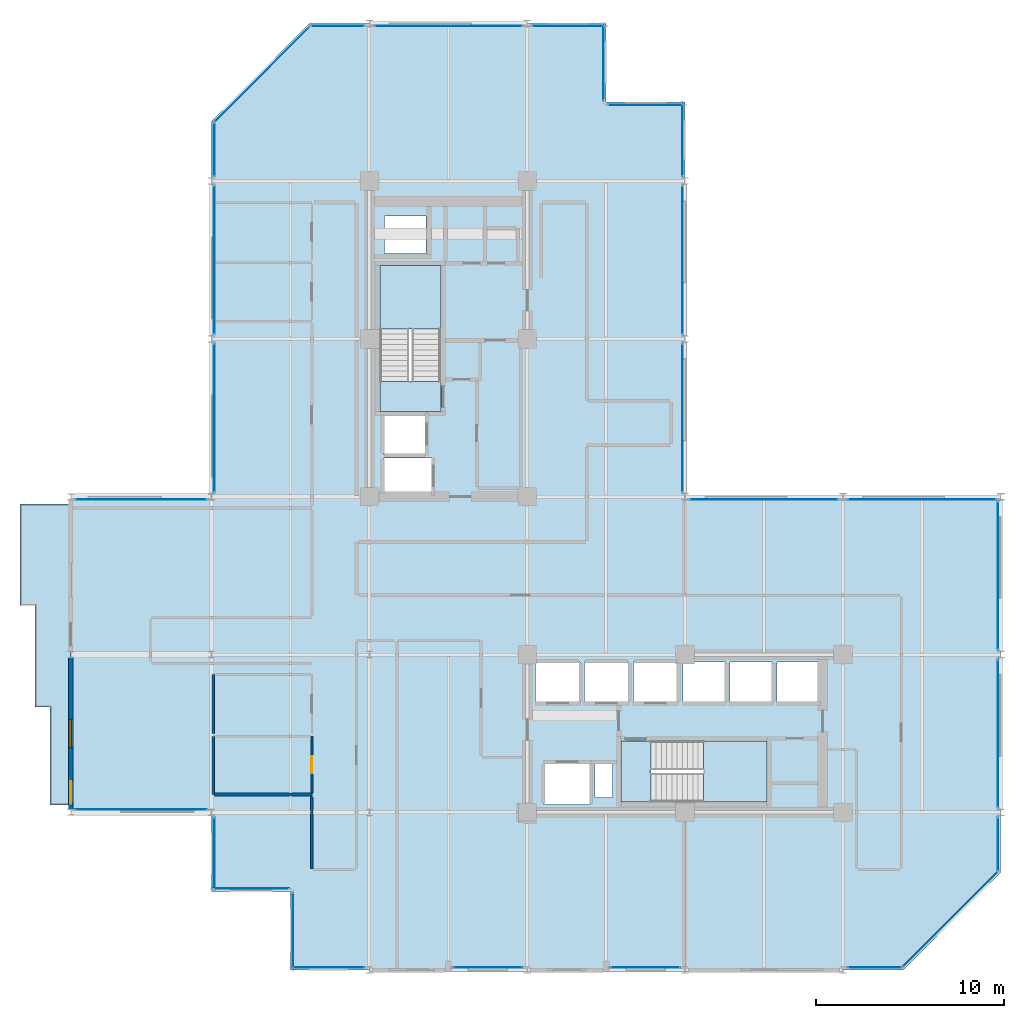
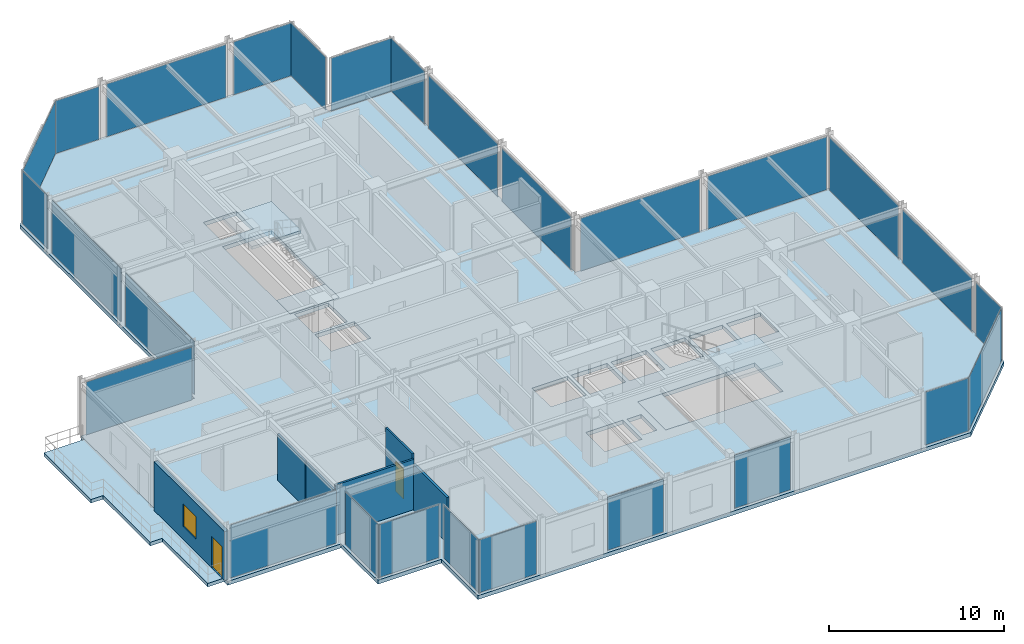
# One storey, part 23 of 29: 27 plates, 6 slabs, 6 walls, 2 doors, 1 window, 3 openings, 29 elements without a shape of their own.
"""IFC4 building model written with IfcOpenShell, lengths in metres."""

from ifc_helpers import new_model, si_unit, direction, frame, frame_2d, origin, origin_2d, place, context, subcontext, project, spatial, polyline, rectangle, outline, extrude, material, layer, layer_set, type_object, element, fill, aggregate, save


model = new_model("IFC4")

# Units and contexts
model_context = context("Model", 3, precision=1e-05, world=origin(), true_north=direction((0.0, 1.0)))
body_context = subcontext(model_context, "Body", "Model", "MODEL_VIEW")
ifc_project = project(units=[si_unit("LENGTHUNIT", "METRE"), si_unit("AREAUNIT", "SQUARE_METRE"), si_unit("VOLUMEUNIT", "CUBIC_METRE"), si_unit("PLANEANGLEUNIT", "RADIAN"), si_unit("MASSUNIT", "GRAM", prefix="KILO")], contexts=[model_context])

# Site, building, storey
site_placement = place(None, origin())
site = spatial("IfcSite", under=ifc_project, at=site_placement, CompositionType="ELEMENT")
building_placement = place(site_placement, origin())
building = spatial("IfcBuilding", under=site, at=building_placement, Name="Nerrivon Quay Data Exchange", CompositionType="ELEMENT")
storey_placement = place(building_placement, frame((0.0, 0.0, 187.800048828125)))
storey = spatial("IfcBuildingStorey", under=building, at=storey_placement, Name="L44", CompositionType="ELEMENT", Elevation=187.800048828125)

# Curtain wall, plate
ifc_material_1 = material(Name="Anodised aluminium 6063-T6", Category="aluminium")
ifc_layer_1 = layer(ifc_material_1, 0.199951171875)
ifc_layer_set_1 = layer_set([ifc_layer_1], Name="Anodised aluminium 6063-T6")
curtain_wall_type_1 = type_object("IfcCurtainWallType", Name="CW-SYS-04", PredefinedType="NOTDEFINED", material=ifc_layer_set_1)
curtain_wall_1_placement = place(storey_placement, origin())
curtain_wall_1 = element("IfcCurtainWall", 1, at=curtain_wall_1_placement, inside=storey, type_object=curtain_wall_type_1, Name="L44 Unitised Curtain Wall 3", PredefinedType="NOTDEFINED")
ifc_material_2 = material(Name="Double-glazed low-E solar control glass", Category="glass")
ifc_layer_2 = layer(ifc_material_2, 0.028076171875)
ifc_layer_set_2 = layer_set([ifc_layer_2], Name="Double-glazed low-E solar control glass")
plate_type = type_object("IfcPlateType", Name="CWP-GLZ-28", PredefinedType="CURTAIN_PANEL", material=ifc_layer_set_2)
plate_1_placement = place(storey_placement, frame((-3.759765625, 25.06005859375, 0.06494140625), z_axis=(0.0, 0.0, 1.0), x_axis=(1.0, 0.0, 0.0)))
plate_1 = element("IfcPlate", 2, at=plate_1_placement, type_object=plate_type, Name="CW04 panel 1.1", PredefinedType="CURTAIN_PANEL", context=body_context, shape_type="SweptSolid", body=[
    extrude(rectangle(XDim=7.01953125, YDim=0.028076171875, at=origin_2d()), origin(), (0.0, 0.0, 1.0), 3.695068359375),
])
aggregate(curtain_wall_1, [plate_1])

ifc_layer_3 = layer(ifc_material_1, 0.195068359375)
ifc_layer_set_3 = layer_set([ifc_layer_3], Name="Anodised aluminium 6063-T6")
curtain_wall_type_2 = type_object("IfcCurtainWallType", Name="CW-SYS-06", PredefinedType="NOTDEFINED", material=ifc_layer_set_3)
curtain_wall_2_placement = place(storey_placement, origin())
curtain_wall_2 = element("IfcCurtainWall", 3, at=curtain_wall_2_placement, inside=storey, type_object=curtain_wall_type_2, Name="L44 Unitised Curtain Wall 4", PredefinedType="NOTDEFINED")
plate_2_placement = place(storey_placement, frame((0.139892578125, 29.39990234375, 0.06494140625), z_axis=(0.0, 0.0, 1.0), x_axis=(0.0, 1.0, 0.0)))
plate_2 = element("IfcPlate", 4, at=plate_2_placement, type_object=plate_type, Name="CW06 panel 1.1", PredefinedType="CURTAIN_PANEL", context=body_context, shape_type="SweptSolid", body=[
    extrude(rectangle(XDim=7.89990234375, YDim=0.028076171875, at=origin_2d()), origin(), (0.0, 0.0, 1.0), 3.695068359375),
])
aggregate(curtain_wall_2, [plate_2])

curtain_wall_3_placement = place(storey_placement, origin())
curtain_wall_3 = element("IfcCurtainWall", 5, at=curtain_wall_3_placement, inside=storey, type_object=curtain_wall_type_2, Name="L44 Unitised Curtain Wall 5", PredefinedType="NOTDEFINED")
plate_3_placement = place(storey_placement, frame((0.139892578125, 37.800048828125, 0.06494140625), z_axis=(0.0, 0.0, 1.0), x_axis=(0.0, 1.0, 0.0)))
plate_3 = element("IfcPlate", 6, at=plate_3_placement, type_object=plate_type, Name="CW06 panel 1.1", PredefinedType="CURTAIN_PANEL", context=body_context, shape_type="SweptSolid", body=[
    extrude(rectangle(XDim=7.89990234375, YDim=0.028076171875, at=origin_2d()), origin(), (0.0, 0.0, 1.0), 3.695068359375),
])
aggregate(curtain_wall_3, [plate_3])

curtain_wall_4_placement = place(storey_placement, origin())
curtain_wall_4 = element("IfcCurtainWall", 7, at=curtain_wall_4_placement, inside=storey, type_object=curtain_wall_type_2, Name="L44 Unitised Curtain Wall 6", PredefinedType="NOTDEFINED")
plate_4_placement = place(storey_placement, frame((0.139892578125, 43.6875, 0.06494140625), z_axis=(0.0, 0.0, 1.0), x_axis=(0.0, 1.0, 0.0)))
plate_4 = element("IfcPlate", 8, at=plate_4_placement, type_object=plate_type, Name="CW06 panel 1.1", PredefinedType="CURTAIN_PANEL", context=body_context, shape_type="SweptSolid", body=[
    extrude(rectangle(XDim=2.875, YDim=0.028076171875, at=origin_2d()), origin(), (0.0, 0.0, 1.0), 3.695068359375),
])
aggregate(curtain_wall_4, [plate_4])

curtain_wall_5_placement = place(storey_placement, origin())
curtain_wall_5 = element("IfcCurtainWall", 9, at=curtain_wall_5_placement, inside=storey, type_object=curtain_wall_type_2, Name="L44 Unitised Curtain Wall 7", PredefinedType="NOTDEFINED")
plate_5_placement = place(storey_placement, frame((2.698974609375, 47.700927734375, 0.06494140625), z_axis=(0.0, 0.0, 1.0), x_axis=(0.707106781187, 0.707106781187, 0.0)))
plate_5 = element("IfcPlate", 10, at=plate_5_placement, type_object=plate_type, Name="CW06 panel 1.1", PredefinedType="CURTAIN_PANEL", context=body_context, shape_type="SweptSolid", body=[
    extrude(rectangle(XDim=7.203857421875, YDim=0.028076171875, at=origin_2d()), origin(), (0.0, 0.0, 1.0), 3.695068359375),
])
aggregate(curtain_wall_5, [plate_5])

curtain_wall_6_placement = place(storey_placement, origin())
curtain_wall_6 = element("IfcCurtainWall", 11, at=curtain_wall_6_placement, inside=storey, type_object=curtain_wall_type_2, Name="L44 Unitised Curtain Wall 8", PredefinedType="NOTDEFINED")
plate_6_placement = place(storey_placement, frame((6.71240234375, 50.260009765625, 0.06494140625), z_axis=(0.0, 0.0, 1.0), x_axis=(1.0, 0.0, 0.0)))
plate_6 = element("IfcPlate", 12, at=plate_6_placement, type_object=plate_type, Name="CW06 panel 1.1", PredefinedType="CURTAIN_PANEL", context=body_context, shape_type="SweptSolid", body=[
    extrude(rectangle(XDim=2.875, YDim=0.028076171875, at=origin_2d()), origin(), (0.0, 0.0, 1.0), 3.695068359375),
])
aggregate(curtain_wall_6, [plate_6])

curtain_wall_7_placement = place(storey_placement, origin())
curtain_wall_7 = element("IfcCurtainWall", 13, at=curtain_wall_7_placement, inside=storey, type_object=curtain_wall_type_2, Name="L44 Unitised Curtain Wall 9", PredefinedType="NOTDEFINED")
plate_7_placement = place(storey_placement, frame((12.60009765625, 50.260009765625, 0.06494140625), z_axis=(0.0, 0.0, 1.0), x_axis=(1.0, 0.0, 0.0)))
plate_7 = element("IfcPlate", 14, at=plate_7_placement, type_object=plate_type, Name="CW06 panel 1.1", PredefinedType="CURTAIN_PANEL", context=body_context, shape_type="SweptSolid", body=[
    extrude(rectangle(XDim=7.89990234375, YDim=0.028076171875, at=origin_2d()), origin(), (0.0, 0.0, 1.0), 3.695068359375),
])
aggregate(curtain_wall_7, [plate_7])

curtain_wall_8_placement = place(storey_placement, origin())
curtain_wall_8 = element("IfcCurtainWall", 15, at=curtain_wall_8_placement, inside=storey, type_object=curtain_wall_type_2, Name="L44 Unitised Curtain Wall 10", PredefinedType="NOTDEFINED")
plate_8_placement = place(storey_placement, frame((18.987548828125, 50.260009765625, 0.06494140625), z_axis=(0.0, 0.0, 1.0), x_axis=(1.0, 0.0, 0.0)))
plate_8 = element("IfcPlate", 16, at=plate_8_placement, type_object=plate_type, Name="CW06 panel 1.1", PredefinedType="CURTAIN_PANEL", context=body_context, shape_type="SweptSolid", body=[
    extrude(rectangle(XDim=3.875, YDim=0.028076171875, at=origin_2d()), origin(), (0.0, 0.0, 1.0), 3.695068359375),
])
aggregate(curtain_wall_8, [plate_8])

curtain_wall_9_placement = place(storey_placement, origin())
curtain_wall_9 = element("IfcCurtainWall", 17, at=curtain_wall_9_placement, inside=storey, type_object=curtain_wall_type_2, Name="L44 Unitised Curtain Wall 11", PredefinedType="NOTDEFINED")
plate_9_placement = place(storey_placement, frame((20.860107421875, 48.300048828125, 0.06494140625), z_axis=(0.0, 0.0, 1.0), x_axis=(0.0, -1.0, 0.0)))
plate_9 = element("IfcPlate", 18, at=plate_9_placement, type_object=plate_type, Name="CW06 panel 1.1", PredefinedType="CURTAIN_PANEL", context=body_context, shape_type="SweptSolid", body=[
    extrude(rectangle(XDim=4.050048828125, YDim=0.028076171875, at=origin_2d()), origin(), (0.0, 0.0, 1.0), 3.695068359375),
])
aggregate(curtain_wall_9, [plate_9])

curtain_wall_10_placement = place(storey_placement, origin())
curtain_wall_10 = element("IfcCurtainWall", 19, at=curtain_wall_10_placement, inside=storey, type_object=curtain_wall_type_2, Name="L44 Unitised Curtain Wall 12", PredefinedType="NOTDEFINED")
plate_10_placement = place(storey_placement, frame((23.10009765625, 46.06005859375, 0.06494140625), z_axis=(0.0, 0.0, 1.0), x_axis=(1.0, 0.0, 0.0)))
plate_10 = element("IfcPlate", 20, at=plate_10_placement, type_object=plate_type, Name="CW06 panel 1.1", PredefinedType="CURTAIN_PANEL", context=body_context, shape_type="SweptSolid", body=[
    extrude(rectangle(XDim=4.050048828125, YDim=0.028076171875, at=origin_2d()), origin(), (0.0, 0.0, 1.0), 3.695068359375),
])
aggregate(curtain_wall_10, [plate_10])

curtain_wall_11_placement = place(storey_placement, origin())
curtain_wall_11 = element("IfcCurtainWall", 21, at=curtain_wall_11_placement, inside=storey, type_object=curtain_wall_type_2, Name="L44 Unitised Curtain Wall 13", PredefinedType="NOTDEFINED")
plate_11_placement = place(storey_placement, frame((25.06005859375, 44.1875, 0.06494140625), z_axis=(0.0, 0.0, 1.0), x_axis=(0.0, -1.0, 0.0)))
plate_11 = element("IfcPlate", 22, at=plate_11_placement, type_object=plate_type, Name="CW06 panel 1.1", PredefinedType="CURTAIN_PANEL", context=body_context, shape_type="SweptSolid", body=[
    extrude(rectangle(XDim=3.875, YDim=0.028076171875, at=origin_2d()), origin(), (0.0, 0.0, 1.0), 3.695068359375),
])
aggregate(curtain_wall_11, [plate_11])

curtain_wall_12_placement = place(storey_placement, origin())
curtain_wall_12 = element("IfcCurtainWall", 23, at=curtain_wall_12_placement, inside=storey, type_object=curtain_wall_type_2, Name="L44 Unitised Curtain Wall 14", PredefinedType="NOTDEFINED")
plate_12_placement = place(storey_placement, frame((25.06005859375, 37.800048828125, 0.06494140625), z_axis=(0.0, 0.0, 1.0), x_axis=(0.0, -1.0, 0.0)))
plate_12 = element("IfcPlate", 24, at=plate_12_placement, type_object=plate_type, Name="CW06 panel 1.1", PredefinedType="CURTAIN_PANEL", context=body_context, shape_type="SweptSolid", body=[
    extrude(rectangle(XDim=7.89990234375, YDim=0.028076171875, at=origin_2d()), origin(), (0.0, 0.0, 1.0), 3.695068359375),
])
aggregate(curtain_wall_12, [plate_12])

curtain_wall_13_placement = place(storey_placement, origin())
curtain_wall_13 = element("IfcCurtainWall", 25, at=curtain_wall_13_placement, inside=storey, type_object=curtain_wall_type_2, Name="L44 Unitised Curtain Wall 15", PredefinedType="NOTDEFINED")
plate_13_placement = place(storey_placement, frame((25.06005859375, 29.39990234375, 0.06494140625), z_axis=(0.0, 0.0, 1.0), x_axis=(0.0, -1.0, 0.0)))
plate_13 = element("IfcPlate", 26, at=plate_13_placement, type_object=plate_type, Name="CW06 panel 1.1", PredefinedType="CURTAIN_PANEL", context=body_context, shape_type="SweptSolid", body=[
    extrude(rectangle(XDim=7.89990234375, YDim=0.028076171875, at=origin_2d()), origin(), (0.0, 0.0, 1.0), 3.695068359375),
])
aggregate(curtain_wall_13, [plate_13])

curtain_wall_14_placement = place(storey_placement, origin())
curtain_wall_14 = element("IfcCurtainWall", 27, at=curtain_wall_14_placement, inside=storey, type_object=curtain_wall_type_2, Name="L44 Unitised Curtain Wall 16", PredefinedType="NOTDEFINED")
plate_14_placement = place(storey_placement, frame((29.39990234375, 25.06005859375, 0.06494140625), z_axis=(0.0, 0.0, 1.0), x_axis=(1.0, 0.0, 0.0)))
plate_14 = element("IfcPlate", 28, at=plate_14_placement, type_object=plate_type, Name="CW06 panel 1.1", PredefinedType="CURTAIN_PANEL", context=body_context, shape_type="SweptSolid", body=[
    extrude(rectangle(XDim=7.89990234375, YDim=0.028076171875, at=origin_2d()), origin(), (0.0, 0.0, 1.0), 3.695068359375),
])
aggregate(curtain_wall_14, [plate_14])

curtain_wall_15_placement = place(storey_placement, origin())
curtain_wall_15 = element("IfcCurtainWall", 29, at=curtain_wall_15_placement, inside=storey, type_object=curtain_wall_type_2, Name="L44 Unitised Curtain Wall 17", PredefinedType="NOTDEFINED")
plate_15_placement = place(storey_placement, frame((37.800048828125, 25.06005859375, 0.06494140625), z_axis=(0.0, 0.0, 1.0), x_axis=(1.0, 0.0, 0.0)))
plate_15 = element("IfcPlate", 30, at=plate_15_placement, type_object=plate_type, Name="CW06 panel 1.1", PredefinedType="CURTAIN_PANEL", context=body_context, shape_type="SweptSolid", body=[
    extrude(rectangle(XDim=7.89990234375, YDim=0.028076171875, at=origin_2d()), origin(), (0.0, 0.0, 1.0), 3.695068359375),
])
aggregate(curtain_wall_15, [plate_15])

curtain_wall_16_placement = place(storey_placement, origin())
curtain_wall_16 = element("IfcCurtainWall", 31, at=curtain_wall_16_placement, inside=storey, type_object=curtain_wall_type_2, Name="L44 Unitised Curtain Wall 18", PredefinedType="NOTDEFINED")
plate_16_placement = place(storey_placement, frame((41.860107421875, 21.0, 0.06494140625), z_axis=(0.0, 0.0, 1.0), x_axis=(0.0, -1.0, 0.0)))
plate_16 = element("IfcPlate", 32, at=plate_16_placement, type_object=plate_type, Name="CW06 panel 1.1", PredefinedType="CURTAIN_PANEL", context=body_context, shape_type="SweptSolid", body=[
    extrude(rectangle(XDim=7.89990234375, YDim=0.028076171875, at=origin_2d()), origin(), (0.0, 0.0, 1.0), 3.695068359375),
])
aggregate(curtain_wall_16, [plate_16])

curtain_wall_17_placement = place(storey_placement, origin())
curtain_wall_17 = element("IfcCurtainWall", 33, at=curtain_wall_17_placement, inside=storey, type_object=curtain_wall_type_2, Name="L44 Unitised Curtain Wall 19", PredefinedType="NOTDEFINED")
plate_17_placement = place(storey_placement, frame((41.860107421875, 12.60009765625, 0.06494140625), z_axis=(0.0, 0.0, 1.0), x_axis=(0.0, -1.0, 0.0)))
plate_17 = element("IfcPlate", 34, at=plate_17_placement, type_object=plate_type, Name="CW06 panel 1.1", PredefinedType="CURTAIN_PANEL", context=body_context, shape_type="SweptSolid", body=[
    extrude(rectangle(XDim=7.89990234375, YDim=0.028076171875, at=origin_2d()), origin(), (0.0, 0.0, 1.0), 3.695068359375),
])
aggregate(curtain_wall_17, [plate_17])

curtain_wall_18_placement = place(storey_placement, origin())
curtain_wall_18 = element("IfcCurtainWall", 35, at=curtain_wall_18_placement, inside=storey, type_object=curtain_wall_type_2, Name="L44 Unitised Curtain Wall 20", PredefinedType="NOTDEFINED")
plate_18_placement = place(storey_placement, frame((41.860107421875, 6.71240234375, 0.06494140625), z_axis=(0.0, 0.0, 1.0), x_axis=(0.0, -1.0, 0.0)))
plate_18 = element("IfcPlate", 36, at=plate_18_placement, type_object=plate_type, Name="CW06 panel 1.1", PredefinedType="CURTAIN_PANEL", context=body_context, shape_type="SweptSolid", body=[
    extrude(rectangle(XDim=2.875, YDim=0.028076171875, at=origin_2d()), origin(), (0.0, 0.0, 1.0), 3.695068359375),
])
aggregate(curtain_wall_18, [plate_18])

curtain_wall_19_placement = place(storey_placement, origin())
curtain_wall_19 = element("IfcCurtainWall", 37, at=curtain_wall_19_placement, inside=storey, type_object=curtain_wall_type_2, Name="L44 Unitised Curtain Wall 21", PredefinedType="NOTDEFINED")
plate_19_placement = place(storey_placement, frame((39.301025390625, 2.698974609375, 0.06494140625), z_axis=(0.0, 0.0, 1.0), x_axis=(-0.707106781187, -0.707106781187, 0.0)))
plate_19 = element("IfcPlate", 38, at=plate_19_placement, type_object=plate_type, Name="CW06 panel 1.1", PredefinedType="CURTAIN_PANEL", context=body_context, shape_type="SweptSolid", body=[
    extrude(rectangle(XDim=7.203857421875, YDim=0.028076171875, at=origin_2d()), origin(), (0.0, 0.0, 1.0), 3.695068359375),
])
aggregate(curtain_wall_19, [plate_19])

curtain_wall_20_placement = place(storey_placement, origin())
curtain_wall_20 = element("IfcCurtainWall", 39, at=curtain_wall_20_placement, inside=storey, type_object=curtain_wall_type_2, Name="L44 Unitised Curtain Wall 22", PredefinedType="NOTDEFINED")
plate_20_placement = place(storey_placement, frame((35.28759765625, 0.139892578125, 0.06494140625), z_axis=(0.0, 0.0, 1.0), x_axis=(-1.0, 0.0, 0.0)))
plate_20 = element("IfcPlate", 40, at=plate_20_placement, type_object=plate_type, Name="CW06 panel 1.1", PredefinedType="CURTAIN_PANEL", context=body_context, shape_type="SweptSolid", body=[
    extrude(rectangle(XDim=2.875, YDim=0.028076171875, at=origin_2d()), origin(), (0.0, 0.0, 1.0), 3.695068359375),
])
aggregate(curtain_wall_20, [plate_20])

curtain_wall_21_placement = place(storey_placement, origin())
curtain_wall_21 = element("IfcCurtainWall", 41, at=curtain_wall_21_placement, inside=storey, type_object=curtain_wall_type_2, Name="L44 Unitised Curtain Wall 24", PredefinedType="NOTDEFINED")
plate_21_placement = place(storey_placement, frame((23.10009765625, 0.139892578125, 0.06494140625), z_axis=(0.0, 0.0, 1.0), x_axis=(-1.0, 0.0, 0.0)))
plate_21 = element("IfcPlate", 42, at=plate_21_placement, type_object=plate_type, Name="CW06 panel 1.1", PredefinedType="CURTAIN_PANEL", context=body_context, shape_type="SweptSolid", body=[
    extrude(rectangle(XDim=3.699951171875, YDim=0.028076171875, at=origin_2d()), origin(), (0.0, 0.0, 1.0), 3.695068359375),
])
aggregate(curtain_wall_21, [plate_21])

curtain_wall_22_placement = place(storey_placement, origin())
curtain_wall_22 = element("IfcCurtainWall", 43, at=curtain_wall_22_placement, inside=storey, type_object=curtain_wall_type_2, Name="L44 Unitised Curtain Wall 26", PredefinedType="NOTDEFINED")
plate_22_placement = place(storey_placement, frame((14.699951171875, 0.139892578125, 0.06494140625), z_axis=(0.0, 0.0, 1.0), x_axis=(-1.0, 0.0, 0.0)))
plate_22 = element("IfcPlate", 44, at=plate_22_placement, type_object=plate_type, Name="CW06 panel 1.1", PredefinedType="CURTAIN_PANEL", context=body_context, shape_type="SweptSolid", body=[
    extrude(rectangle(XDim=3.699951171875, YDim=0.028076171875, at=origin_2d()), origin(), (0.0, 0.0, 1.0), 3.695068359375),
])
aggregate(curtain_wall_22, [plate_22])

curtain_wall_23_placement = place(storey_placement, origin())
curtain_wall_23 = element("IfcCurtainWall", 45, at=curtain_wall_23_placement, inside=storey, type_object=curtain_wall_type_2, Name="L44 Unitised Curtain Wall 28", PredefinedType="NOTDEFINED")
plate_23_placement = place(storey_placement, frame((6.21240234375, 0.139892578125, 0.06494140625), z_axis=(0.0, 0.0, 1.0), x_axis=(-1.0, 0.0, 0.0)))
plate_23 = element("IfcPlate", 46, at=plate_23_placement, type_object=plate_type, Name="CW06 panel 1.1", PredefinedType="CURTAIN_PANEL", context=body_context, shape_type="SweptSolid", body=[
    extrude(rectangle(XDim=3.875, YDim=0.028076171875, at=origin_2d()), origin(), (0.0, 0.0, 1.0), 3.695068359375),
])
aggregate(curtain_wall_23, [plate_23])

curtain_wall_24_placement = place(storey_placement, origin())
curtain_wall_24 = element("IfcCurtainWall", 47, at=curtain_wall_24_placement, inside=storey, type_object=curtain_wall_type_2, Name="L44 Unitised Curtain Wall 29", PredefinedType="NOTDEFINED")
plate_24_placement = place(storey_placement, frame((4.340087890625, 2.10009765625, 0.06494140625), z_axis=(0.0, 0.0, 1.0), x_axis=(0.0, 1.0, 0.0)))
plate_24 = element("IfcPlate", 48, at=plate_24_placement, type_object=plate_type, Name="CW06 panel 1.1", PredefinedType="CURTAIN_PANEL", context=body_context, shape_type="SweptSolid", body=[
    extrude(rectangle(XDim=4.050048828125, YDim=0.028076171875, at=origin_2d()), origin(), (0.0, 0.0, 1.0), 3.695068359375),
])
aggregate(curtain_wall_24, [plate_24])

curtain_wall_25_placement = place(storey_placement, origin())
curtain_wall_25 = element("IfcCurtainWall", 49, at=curtain_wall_25_placement, inside=storey, type_object=curtain_wall_type_2, Name="L44 Unitised Curtain Wall 30", PredefinedType="NOTDEFINED")
plate_25_placement = place(storey_placement, frame((2.10009765625, 4.340087890625, 0.06494140625), z_axis=(0.0, 0.0, 1.0), x_axis=(-1.0, 0.0, 0.0)))
plate_25 = element("IfcPlate", 50, at=plate_25_placement, type_object=plate_type, Name="CW06 panel 1.1", PredefinedType="CURTAIN_PANEL", context=body_context, shape_type="SweptSolid", body=[
    extrude(rectangle(XDim=4.050048828125, YDim=0.028076171875, at=origin_2d()), origin(), (0.0, 0.0, 1.0), 3.695068359375),
])
aggregate(curtain_wall_25, [plate_25])

curtain_wall_26_placement = place(storey_placement, origin())
curtain_wall_26 = element("IfcCurtainWall", 51, at=curtain_wall_26_placement, inside=storey, type_object=curtain_wall_type_2, Name="L44 Unitised Curtain Wall 31", PredefinedType="NOTDEFINED")
plate_26_placement = place(storey_placement, frame((0.139892578125, 6.21240234375, 0.06494140625), z_axis=(0.0, 0.0, 1.0), x_axis=(0.0, 1.0, 0.0)))
plate_26 = element("IfcPlate", 52, at=plate_26_placement, type_object=plate_type, Name="CW06 panel 1.1", PredefinedType="CURTAIN_PANEL", context=body_context, shape_type="SweptSolid", body=[
    extrude(rectangle(XDim=3.875, YDim=0.028076171875, at=origin_2d()), origin(), (0.0, 0.0, 1.0), 3.695068359375),
])
aggregate(curtain_wall_26, [plate_26])

curtain_wall_27_placement = place(storey_placement, origin())
curtain_wall_27 = element("IfcCurtainWall", 53, at=curtain_wall_27_placement, inside=storey, type_object=curtain_wall_type_1, Name="L44 Unitised Curtain Wall 32", PredefinedType="NOTDEFINED")
plate_27_placement = place(storey_placement, frame((-3.759765625, 8.5400390625, 0.06494140625), z_axis=(0.0, 0.0, 1.0), x_axis=(-1.0, 0.0, 0.0)))
plate_27 = element("IfcPlate", 54, at=plate_27_placement, type_object=plate_type, Name="CW04 panel 1.1", PredefinedType="CURTAIN_PANEL", context=body_context, shape_type="SweptSolid", body=[
    extrude(rectangle(XDim=7.01953125, YDim=0.028076171875, at=origin_2d()), origin(), (0.0, 0.0, 1.0), 3.695068359375),
])
aggregate(curtain_wall_27, [plate_27])

# Slab
ifc_material_3 = material(Name="Precast white architectural concrete N50 (50 MPa)", Category="concrete")
ifc_layer_4 = layer(ifc_material_3, 0.25)
ifc_layer_set_4 = layer_set([ifc_layer_4], Name="Precast white architectural concrete N50 (50 MPa)")
slab_type_1 = type_object("IfcSlabType", Name="SLB-BAL-250", PredefinedType="FLOOR", material=ifc_layer_set_4)
slab_1_placement = place(storey_placement, frame((0.0, 0.0, -0.25)))
element("IfcSlab", 55, at=slab_1_placement, inside=storey, type_object=slab_type_1, Name="L44 West Hooked Drifting Verandah", PredefinedType="FLOOR", context=body_context, shape_type="SweptSolid", body=[
    extrude(outline(polyline([(-7.5, 14.0), (-7.5, 19.39990234375), (-7.5, 24.800048828125), (-10.199951171875, 24.800048828125), (-10.199951171875, 19.39990234375), (-9.39990234375, 19.39990234375), (-9.39990234375, 14.0), (-8.60009765625, 14.0), (-8.60009765625, 8.800048828125), (-7.5, 8.800048828125), (-7.5, 14.0)])), origin(), (0.0, 0.0, 1.0), 0.25),
])

# Stair, slab
ifc_material_4 = material(Name="Concrete N50 (50 MPa)", Category="concrete")
stair_type = type_object("IfcStairType", Name="STAIR-DOG-41", PredefinedType="HALF_TURN_STAIR", material=ifc_material_4)
stair_1_placement = place(storey_placement, origin())
stair_1 = element("IfcStair", 56, at=stair_1_placement, inside=storey, type_object=stair_type, Name="L44 West Core Fire Stair ST01", PredefinedType="HALF_TURN_STAIR")
ifc_layer_5 = layer(ifc_material_4, 0.199951171875)
ifc_layer_set_5 = layer_set([ifc_layer_5], Name="Concrete N50 (50 MPa)")
slab_type_2 = type_object("IfcSlabType", Name="SLB-LAND-200", PredefinedType="LANDING", material=ifc_layer_set_5)
slab_2_placement = place(storey_placement, frame((0.0, 0.0, 1.849853515625)))
slab_2 = element("IfcSlab", 57, at=slab_2_placement, type_object=slab_type_2, Name="ST01 landing 1", PredefinedType="LANDING", context=body_context, shape_type="SweptSolid", body=[
    extrude(outline(polyline([(12.199951171875, 34.1298828125), (12.199951171875, 37.5), (8.949951171875, 37.5), (8.949951171875, 34.1298828125), (12.199951171875, 34.1298828125)])), origin(), (0.0, 0.0, 1.0), 0.2001953125),
])
aggregate(stair_1, [slab_2])

# Slab
slab_3_placement = place(storey_placement, frame((0.0, 0.0, -0.199951171875)))
element("IfcSlab", 58, at=slab_3_placement, inside=storey, type_object=slab_type_2, Name="L44 ST01 floor landing", PredefinedType="LANDING", context=body_context, shape_type="SweptSolid", body=[
    extrude(outline(polyline([(12.199951171875, 29.75), (12.199951171875, 31.330078125), (8.949951171875, 31.330078125), (8.949951171875, 29.75), (12.199951171875, 29.75)])), origin(), (0.0, 0.0, 1.0), 0.199951171875),
])

# Stair, slab
stair_2_placement = place(storey_placement, origin())
stair_2 = element("IfcStair", 59, at=stair_2_placement, inside=storey, type_object=stair_type, Name="L44 East Core Fire Stair ST02", PredefinedType="HALF_TURN_STAIR")
slab_4_placement = place(storey_placement, frame((0.0, 0.0, 1.849853515625)))
slab_4 = element("IfcSlab", 60, at=slab_4_placement, type_object=slab_type_2, Name="ST02 landing 1", PredefinedType="LANDING", context=body_context, shape_type="SweptSolid", body=[
    extrude(outline(polyline([(26.179931640625, 8.949951171875), (29.550048828125, 8.949951171875), (29.550048828125, 12.199951171875), (26.179931640625, 12.199951171875), (26.179931640625, 8.949951171875)])), origin(), (0.0, 0.0, 1.0), 0.2001953125),
])
aggregate(stair_2, [slab_4])

# Slabs
slab_5_placement = place(storey_placement, frame((0.0, 0.0, -0.199951171875)))
element("IfcSlab", 61, at=slab_5_placement, inside=storey, type_object=slab_type_2, Name="L44 ST02 floor landing", PredefinedType="LANDING", context=body_context, shape_type="SweptSolid", body=[
    extrude(outline(polyline([(21.800048828125, 8.949951171875), (23.3798828125, 8.949951171875), (23.3798828125, 12.199951171875), (21.800048828125, 12.199951171875), (21.800048828125, 8.949951171875)])), origin(), (0.0, 0.0, 1.0), 0.199951171875),
])
ifc_layer_6 = layer(ifc_material_4, 0.27490234375)
ifc_layer_set_6 = layer_set([ifc_layer_6], Name="Concrete N50 (50 MPa)")
slab_type_3 = type_object("IfcSlabType", Name="SLB-TOW-275", PredefinedType="FLOOR", material=ifc_layer_set_6)
slab_6_placement = place(storey_placement, frame((0.0, 0.0, -0.275146484375)))
element("IfcSlab", 62, at=slab_6_placement, inside=storey, type_object=slab_type_3, Name="L44 Primary Structural Slab", PredefinedType="FLOOR", context=body_context, shape_type="SweptSolid", body=[
    extrude(outline(polyline([(0.0, 8.39990234375), (0.0, 4.199951171875), (4.199951171875, 4.199951171875), (4.199951171875, 0.0), (36.800048828125, 0.0), (42.0, 5.199951171875), (42.0, 25.199951171875), (25.199951171875, 25.199951171875), (25.199951171875, 46.199951171875), (21.0, 46.199951171875), (21.0, 50.39990234375), (5.199951171875, 50.39990234375), (0.0, 45.199951171875), (0.0, 25.199951171875), (-7.5, 25.199951171875), (-7.5, 8.39990234375), (0.0, 8.39990234375)]), holes=[polyline([(8.949951171875, 29.75), (8.949951171875, 37.5), (12.199951171875, 37.5), (12.199951171875, 29.75), (8.949951171875, 29.75)]), polyline([(21.800048828125, 12.199951171875), (29.550048828125, 12.199951171875), (29.550048828125, 8.949951171875), (21.800048828125, 8.949951171875), (21.800048828125, 12.199951171875)]), polyline([(30.10009765625, 16.39990234375), (32.35009765625, 16.39990234375), (32.35009765625, 14.25), (30.10009765625, 14.25), (30.10009765625, 16.39990234375)]), polyline([(27.60009765625, 16.39990234375), (29.85009765625, 16.39990234375), (29.85009765625, 14.25), (27.60009765625, 14.25), (27.60009765625, 16.39990234375)]), polyline([(25.10009765625, 14.25), (25.10009765625, 16.39990234375), (27.35009765625, 16.39990234375), (27.35009765625, 14.25), (25.10009765625, 14.25)]), polyline([(22.449951171875, 16.39990234375), (24.800048828125, 16.39990234375), (24.800048828125, 14.25), (22.449951171875, 14.25), (22.449951171875, 16.39990234375)]), polyline([(19.85009765625, 16.39990234375), (22.199951171875, 16.39990234375), (22.199951171875, 14.25), (19.85009765625, 14.25), (19.85009765625, 16.39990234375)]), polyline([(20.39990234375, 9.199951171875), (20.39990234375, 11.0), (21.35009765625, 11.0), (21.35009765625, 9.199951171875), (20.39990234375, 9.199951171875)]), polyline([(17.699951171875, 8.830078125), (17.699951171875, 11.030029296875), (20.14990234375, 11.030029296875), (20.14990234375, 8.830078125), (17.699951171875, 8.830078125)]), polyline([(17.25, 14.25), (17.25, 16.39990234375), (19.60009765625, 16.39990234375), (19.60009765625, 14.25), (17.25, 14.25)]), polyline([(9.14990234375, 27.25), (11.75, 27.25), (11.75, 25.35009765625), (9.14990234375, 25.35009765625), (9.14990234375, 27.25)]), polyline([(9.14990234375, 29.60009765625), (11.39990234375, 29.60009765625), (11.39990234375, 27.449951171875), (9.14990234375, 27.449951171875), (9.14990234375, 29.60009765625)]), polyline([(9.199951171875, 38.14990234375), (9.199951171875, 40.14990234375), (11.39990234375, 40.14990234375), (11.39990234375, 38.14990234375), (9.199951171875, 38.14990234375)])]), origin(), (0.0, 0.0, 1.0), 0.275146484375),
])

# Wall, openings, door, window
ifc_material_5 = material(Name="Architectural terracotta precast concrete N50 (50 MPa)", Category="masonry")
ifc_layer_7 = layer(ifc_material_5, 0.239990234375)
ifc_layer_set_7 = layer_set([ifc_layer_7], Name="Architectural terracotta precast concrete N50 (50 MPa)")
wall_type_1 = type_object("IfcWallType", Name="EW-PREC-240", PredefinedType="STANDARD", material=ifc_layer_set_7)
wall_1_placement = place(storey_placement, frame((-7.5, 8.5634765625, 0.0), z_axis=(0.0, 0.0, 1.0), x_axis=(0.0, 1.0, 0.0)))
wall_1 = element("IfcWall", 63, at=wall_1_placement, inside=storey, type_object=wall_type_1, Name="L44 Terrace Host Wall 1", PredefinedType="STANDARD", context=body_context, shape_type="SweptSolid", body=[
    extrude(rectangle(XDim=8.072998046875, YDim=0.239990234375, at=frame_2d((4.03662109375, 0.0))), origin(), (0.0, 0.0, 1.0), 3.421875),
])
opening_1_placement = place(wall_1_placement, frame((0.300048828125, 0.0, 0.0)))
opening_1 = element("IfcOpeningElement", 64, at=opening_1_placement, cuts=wall_1, Name="Opening TD1", PredefinedType="OPENING", context=body_context, shape_type="SweptSolid", body=[
    extrude(rectangle(XDim=1.199951171875, YDim=2.199951171875, at=frame_2d((0.60009765625, 1.10009765625))), frame((0.0, 0.1298828125, 0.0), z_axis=(0.0, -1.0, 0.0), x_axis=(1.0, 0.0, 0.0)), (0.0, 0.0, 1.0), 0.260009765625),
])
opening_2_placement = place(wall_1_placement, frame((3.28662109375, 0.0, 0.89990234375)))
opening_2 = element("IfcOpeningElement", 65, at=opening_2_placement, cuts=wall_1, Name="Opening WN4", PredefinedType="OPENING", context=body_context, shape_type="SweptSolid", body=[
    extrude(rectangle(XDim=1.5, YDim=1.60009765625, at=frame_2d((0.75, 0.800048828125))), frame((0.0, 0.1298828125, 0.0), z_axis=(0.0, -1.0, 0.0), x_axis=(1.0, 0.0, 0.0)), (0.0, 0.0, 1.0), 0.260009765625),
])
door_type_1 = type_object("IfcDoorType", Name="DR-TERR-1200x2200", OperationType="NOTDEFINED", PredefinedType="DOOR", material=ifc_material_2)
door_1_placement = place(opening_1_placement, origin())
door_1 = element("IfcDoor", 66, at=door_1_placement, inside=storey, type_object=door_type_1, Name="L44 Outdoor Terrace Access Door 1", OperationType="SINGLE_SWING_RIGHT", OverallHeight=2.199951171875, OverallWidth=1.199951171875, PredefinedType="DOOR", context=body_context, shape_type="SweptSolid", body=[
    extrude(rectangle(XDim=1.199951171875, YDim=2.199951171875, at=frame_2d((0.60009765625, 1.10009765625))), frame((0.0, 0.02490234375, 0.0), z_axis=(0.0, -1.0, 0.0), x_axis=(1.0, 0.0, 0.0)), (0.0, 0.0, 1.0), 0.050048828125),
])
fill(opening_1, door_1)
window_type = type_object("IfcWindowType", Name="WIN-W4-1500x1600", PartitioningType="SINGLE_PANEL", PredefinedType="WINDOW", material=ifc_material_2)
window_placement = place(opening_2_placement, origin())
window = element("IfcWindow", 67, at=window_placement, inside=storey, type_object=window_type, Name="L44 Terrace Side Window 1", OverallHeight=1.60009765625, OverallWidth=1.5, PartitioningType="SINGLE_PANEL", PredefinedType="WINDOW", context=body_context, shape_type="SweptSolid", body=[
    extrude(rectangle(XDim=1.5, YDim=1.60009765625, at=frame_2d((0.75, 0.800048828125))), frame((0.0, 0.030029296875, 0.0), z_axis=(0.0, -1.0, 0.0), x_axis=(1.0, 0.0, 0.0)), (0.0, 0.0, 1.0), 0.06005859375),
])
fill(opening_2, window)

# Wall
ifc_material_6 = material(Name="Gypsum plasterboard on cold-formed framing", Category="gypsum")
ifc_layer_8 = layer(ifc_material_6, 0.1201171875)
ifc_layer_set_8 = layer_set([ifc_layer_8], Name="Gypsum plasterboard on cold-formed framing")
wall_type_2 = type_object("IfcWallType", Name="WALL-PT-120", PredefinedType="PARTITIONING", material=ifc_layer_set_8)
wall_2_placement = place(storey_placement, frame((0.080078125, 12.449951171875, 0.0), z_axis=(0.0, 0.0, 1.0), x_axis=(0.0, -1.0, 0.0)))
element("IfcWall", 68, at=wall_2_placement, inside=storey, type_object=wall_type_2, Name="L44 Partition Accessible Toilet", PredefinedType="PARTITIONING", context=body_context, shape_type="SweptSolid", body=[
    extrude(rectangle(XDim=3.099853515625, YDim=0.1201171875, at=frame_2d((1.5498046875, 0.0))), origin(), (0.0, 0.0, 1.0), 3.222900390625),
])

# Wall, opening, door
wall_3_placement = place(storey_placement, frame((5.340087890625, 9.42138671875, 0.0), z_axis=(0.0, 0.0, 1.0), x_axis=(0.0, 1.0, 0.0)))
wall_3 = element("IfcWall", 69, at=wall_3_placement, inside=storey, type_object=wall_type_2, Name="L44 Partition Accessible Toilet", PredefinedType="PARTITIONING", context=body_context, shape_type="SweptSolid", body=[
    extrude(rectangle(XDim=3.028564453125, YDim=0.1201171875, at=frame_2d((1.51416015625, 0.0))), origin(), (0.0, 0.0, 1.0), 3.824951171875),
])
opening_3_placement = place(wall_3_placement, frame((1.05419921875, 0.0, 0.0)))
opening_3 = element("IfcOpeningElement", 70, at=opening_3_placement, cuts=wall_3, Name="Opening D-WC", PredefinedType="OPENING", context=body_context, shape_type="SweptSolid", body=[
    extrude(rectangle(XDim=0.919921875, YDim=2.10009765625, at=frame_2d((0.4599609375, 1.050048828125))), frame((0.0, 0.070068359375, 0.0), z_axis=(0.0, -1.0, 0.0), x_axis=(1.0, 0.0, 0.0)), (0.0, 0.0, 1.0), 0.14013671875),
])
ifc_material_7 = material(Name="Engineered hardwood timber", Category="wood")
door_type_2 = type_object("IfcDoorType", Name="DR-WC-920", OperationType="NOTDEFINED", PredefinedType="DOOR", material=ifc_material_7)
door_2_placement = place(opening_3_placement, origin())
door_2 = element("IfcDoor", 71, at=door_2_placement, inside=storey, type_object=door_type_2, Name="L44 Door Accessible Toilet", OperationType="SINGLE_SWING_RIGHT", OverallHeight=2.10009765625, OverallWidth=0.919921875, PredefinedType="DOOR", context=body_context, shape_type="SweptSolid", body=[
    extrude(rectangle(XDim=0.919921875, YDim=2.10009765625, at=frame_2d((0.4599609375, 1.050048828125))), frame((0.0, 0.02490234375, 0.0), z_axis=(0.0, -1.0, 0.0), x_axis=(1.0, 0.0, 0.0)), (0.0, 0.0, 1.0), 0.050048828125),
])
fill(opening_3, door_2)

# Walls
wall_4_placement = place(storey_placement, frame((0.080078125, 15.75, 0.0), z_axis=(0.0, 0.0, 1.0), x_axis=(0.0, -1.0, 0.0)))
element("IfcWall", 72, at=wall_4_placement, inside=storey, type_object=wall_type_2, Name="L44 Partition Public Washrooms", PredefinedType="PARTITIONING", context=body_context, shape_type="SweptSolid", body=[
    extrude(rectangle(XDim=3.14990234375, YDim=0.1201171875, at=frame_2d((1.574951171875, 0.0))), origin(), (0.0, 0.0, 1.0), 3.222900390625),
])
ifc_layer_9 = layer(ifc_material_6, 0.135009765625)
ifc_layer_set_9 = layer_set([ifc_layer_9], Name="Gypsum plasterboard on cold-formed framing")
wall_type_3 = type_object("IfcWallType", Name="WALL-PT-135", PredefinedType="PARTITIONING", material=ifc_layer_set_9)
wall_5_placement = place(storey_placement, frame((0.14404296875, 9.35009765625, 0.0), z_axis=(0.0, 0.0, 1.0), x_axis=(1.0, 0.0, 0.0)))
element("IfcWall", 73, at=wall_5_placement, inside=storey, type_object=wall_type_3, Name="L44 Partition Accessible Toilet", PredefinedType="PARTITIONING", context=body_context, shape_type="SweptSolid", body=[
    extrude(rectangle(XDim=5.196044921875, YDim=0.135009765625, at=frame_2d((2.59814453125, 0.0))), origin(), (0.0, 0.0, 1.0), 3.51806640625),
])
wall_6_placement = place(storey_placement, frame((5.340087890625, 5.39990234375, 0.0), z_axis=(0.0, 0.0, 1.0), x_axis=(0.0, 1.0, 0.0)))
element("IfcWall", 74, at=wall_6_placement, inside=storey, type_object=wall_type_3, Name="L44 Partition Peering Huddle Meeting Room", PredefinedType="PARTITIONING", context=body_context, shape_type="SweptSolid", body=[
    extrude(rectangle(XDim=3.830078125, YDim=0.135009765625, at=frame_2d((1.9150390625, 0.0))), origin(), (0.0, 0.0, 1.0), 3.212890625),
])

save(model, "model.ifc")
